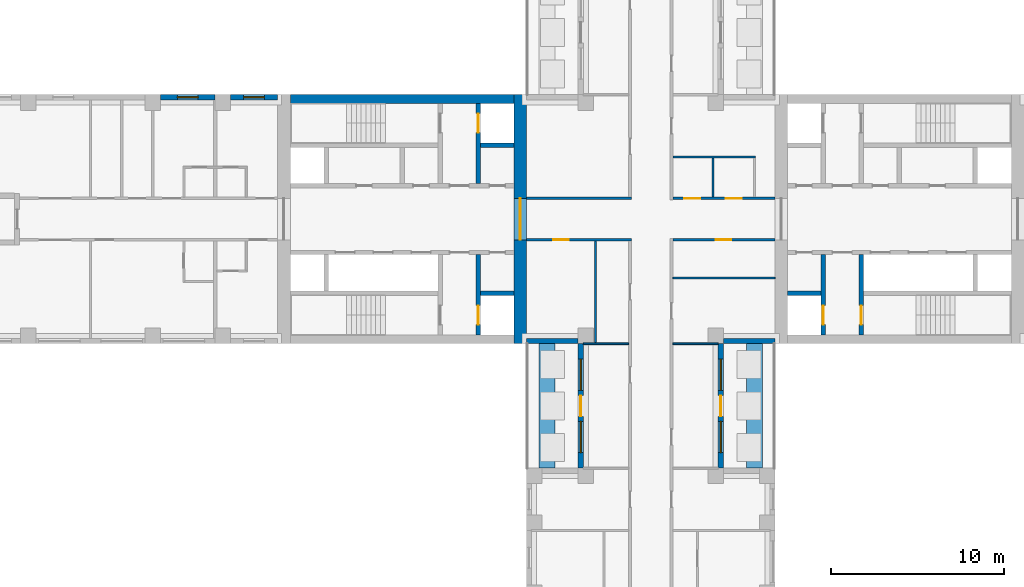
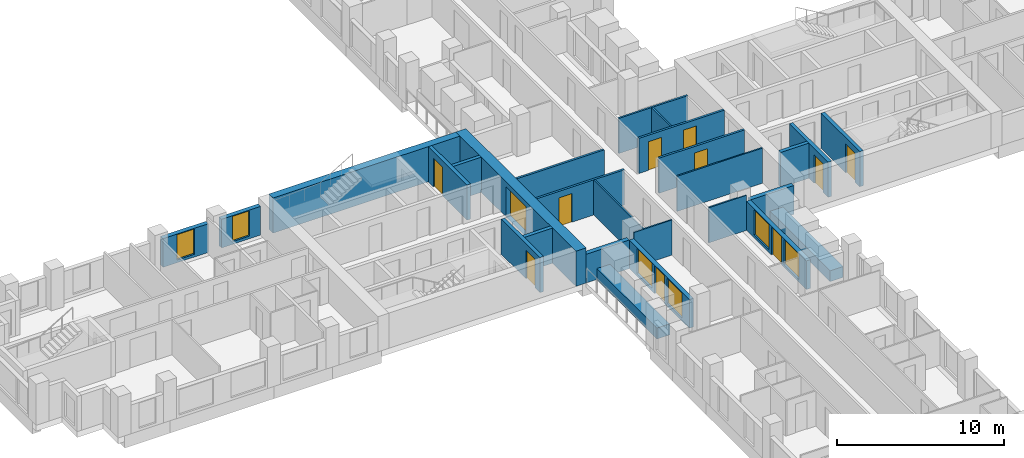
# One storey, part 7 of 15: 27 walls, 11 doors, 6 windows, 17 openings.
"""IFC4 building model written with IfcOpenShell, lengths in metres."""

from ifc_helpers import new_model, si_unit, direction, frame, frame_2d, origin, place, context, subcontext, project, spatial, rectangle, extrude, material, layer, layer_set, type_object, element, fill, save


model = new_model("IFC4")

# Units and contexts
model_context = context("Model", 3, precision=1e-05, world=origin(), true_north=direction((0.0, 1.0)))
body_context = subcontext(model_context, "Body", "Model", "MODEL_VIEW")
ifc_project = project(units=[si_unit("LENGTHUNIT", "METRE"), si_unit("AREAUNIT", "SQUARE_METRE"), si_unit("VOLUMEUNIT", "CUBIC_METRE"), si_unit("PLANEANGLEUNIT", "RADIAN"), si_unit("MASSUNIT", "GRAM", prefix="KILO")], contexts=[model_context])

# Site, building, storey
site_placement = place(None, origin())
site = spatial("IfcSite", under=ifc_project, at=site_placement, CompositionType="ELEMENT")
building_placement = place(site_placement, origin())
building = spatial("IfcBuilding", under=site, at=building_placement, Name="Fustian Cross Tower", CompositionType="ELEMENT")
storey_placement = place(building_placement, frame((0.0, 0.0, 50.699951171875)))
storey = spatial("IfcBuildingStorey", under=building, at=storey_placement, Name="L15", CompositionType="ELEMENT", Elevation=50.699951171875)

# Wall, opening, door
ifc_material_1 = material(Name="Plasterboard on steel stud", Category="steel")
ifc_layer_1 = layer(ifc_material_1, 0.14990234375)
ifc_layer_set_1 = layer_set([ifc_layer_1], Name="Plasterboard on steel stud")
wall_type_1 = type_object("IfcWallType", Name="COMPARTMENT WALL 150 EI 60", PredefinedType="PARTITIONING", material=ifc_layer_set_1)
wall_1_placement = place(storey_placement, frame((-7.199951171875, -1.199951171875, 0.0), z_axis=(0.0, 0.0, 1.0), x_axis=(1.0, 0.0, 0.0)))
wall_1 = element("IfcWall", 1, at=wall_1_placement, inside=storey, type_object=wall_type_1, Name="Partition 16", PredefinedType="PARTITIONING", context=body_context, shape_type="SweptSolid", body=[
    extrude(rectangle(XDim=6.074951171875, YDim=0.14990234375, at=frame_2d((3.03759765625, 0.0))), origin(), (0.0, 0.0, 1.0), 2.574951171875),
])
opening_1_placement = place(wall_1_placement, frame((1.550048828125, 0.0, 0.0)))
opening_1 = element("IfcOpeningElement", 2, at=opening_1_placement, cuts=wall_1, Name="Opening D08008", PredefinedType="OPENING", context=body_context, shape_type="SweptSolid", body=[
    extrude(rectangle(XDim=0.89990234375, YDim=2.10009765625, at=frame_2d((0.449951171875, 1.050048828125))), frame((0.0, 0.0849609375, 0.0), z_axis=(0.0, -1.0, 0.0), x_axis=(1.0, 0.0, 0.0)), (0.0, 0.0, 1.0), 0.169921875),
])
ifc_material_2 = material(Name="Timber fire door set", Category="wood")
door_type_1 = type_object("IfcDoorType", Name="FIRE SWING DOOR 900 FD30S", OperationType="SINGLE_SWING_LEFT", PredefinedType="DOOR", material=ifc_material_2)
door_1_placement = place(opening_1_placement, frame((0.89990234375, 0.0, 0.0), z_axis=(0.0, 0.0, 1.0), x_axis=(-1.0, 0.0, 0.0)))
door_1 = element("IfcDoor", 3, at=door_1_placement, inside=storey, type_object=door_type_1, Name="Door D08008", OperationType="SINGLE_SWING_RIGHT", OverallHeight=2.10009765625, OverallWidth=0.89990234375, PredefinedType="DOOR", context=body_context, shape_type="SweptSolid", body=[
    extrude(rectangle(XDim=0.89990234375, YDim=2.10009765625, at=frame_2d((0.449951171875, 1.050048828125))), frame((0.0, 0.02490234375, 0.0), z_axis=(0.0, -1.0, 0.0), x_axis=(1.0, 0.0, 0.0)), (0.0, 0.0, 1.0), 0.050048828125),
])
fill(opening_1, door_1)

# Wall
wall_2_placement = place(storey_placement, frame((-7.199951171875, 1.199951171875, 0.0), z_axis=(0.0, 0.0, 1.0), x_axis=(1.0, 0.0, 0.0)))
element("IfcWall", 4, at=wall_2_placement, inside=storey, type_object=wall_type_1, Name="Partition 17", PredefinedType="PARTITIONING", context=body_context, shape_type="SweptSolid", body=[
    extrude(rectangle(XDim=6.074951171875, YDim=0.14990234375, at=frame_2d((3.03759765625, 0.0))), origin(), (0.0, 0.0, 1.0), 2.574951171875),
])

# Wall, opening, door
wall_3_placement = place(storey_placement, frame((1.27490234375, -1.199951171875, 0.0), z_axis=(0.0, 0.0, 1.0), x_axis=(1.0, 0.0, 0.0)))
wall_3 = element("IfcWall", 5, at=wall_3_placement, inside=storey, type_object=wall_type_1, Name="Partition 50", PredefinedType="PARTITIONING", context=body_context, shape_type="SweptSolid", body=[
    extrude(rectangle(XDim=5.925048828125, YDim=0.14990234375, at=frame_2d((2.96240234375, 0.0))), origin(), (0.0, 0.0, 1.0), 2.574951171875),
])
opening_2_placement = place(wall_3_placement, frame((2.47509765625, 0.0, 0.0)))
opening_2 = element("IfcOpeningElement", 6, at=opening_2_placement, cuts=wall_3, Name="Opening D08005", PredefinedType="OPENING", context=body_context, shape_type="SweptSolid", body=[
    extrude(rectangle(XDim=0.89990234375, YDim=2.10009765625, at=frame_2d((0.449951171875, 1.050048828125))), frame((0.0, 0.0849609375, 0.0), z_axis=(0.0, -1.0, 0.0), x_axis=(1.0, 0.0, 0.0)), (0.0, 0.0, 1.0), 0.169921875),
])
door_2_placement = place(opening_2_placement, frame((0.89990234375, 0.0, 0.0), z_axis=(0.0, 0.0, 1.0), x_axis=(-1.0, 0.0, 0.0)))
door_2 = element("IfcDoor", 7, at=door_2_placement, inside=storey, type_object=door_type_1, Name="Door D08005", OperationType="SINGLE_SWING_RIGHT", OverallHeight=2.10009765625, OverallWidth=0.89990234375, PredefinedType="DOOR", context=body_context, shape_type="SweptSolid", body=[
    extrude(rectangle(XDim=0.89990234375, YDim=2.10009765625, at=frame_2d((0.449951171875, 1.050048828125))), frame((0.0, 0.02490234375, 0.0), z_axis=(0.0, -1.0, 0.0), x_axis=(1.0, 0.0, 0.0)), (0.0, 0.0, 1.0), 0.050048828125),
])
fill(opening_2, door_2)

# Wall, openings, doors
wall_4_placement = place(storey_placement, frame((1.27490234375, 1.199951171875, 0.0), z_axis=(0.0, 0.0, 1.0), x_axis=(1.0, 0.0, 0.0)))
wall_4 = element("IfcWall", 8, at=wall_4_placement, inside=storey, type_object=wall_type_1, Name="Partition 52", PredefinedType="PARTITIONING", context=body_context, shape_type="SweptSolid", body=[
    extrude(rectangle(XDim=5.925048828125, YDim=0.14990234375, at=frame_2d((2.96240234375, 0.0))), origin(), (0.0, 0.0, 1.0), 2.574951171875),
])
opening_3_placement = place(wall_4_placement, frame((0.675048828125, 0.0, 0.0)))
opening_3 = element("IfcOpeningElement", 9, at=opening_3_placement, cuts=wall_4, Name="Opening D08001", PredefinedType="OPENING", context=body_context, shape_type="SweptSolid", body=[
    extrude(rectangle(XDim=0.89990234375, YDim=2.10009765625, at=frame_2d((0.449951171875, 1.050048828125))), frame((0.0, 0.0849609375, 0.0), z_axis=(0.0, -1.0, 0.0), x_axis=(1.0, 0.0, 0.0)), (0.0, 0.0, 1.0), 0.169921875),
])
opening_4_placement = place(wall_4_placement, frame((3.074951171875, 0.0, 0.0)))
opening_4 = element("IfcOpeningElement", 10, at=opening_4_placement, cuts=wall_4, Name="Opening D08002", PredefinedType="OPENING", context=body_context, shape_type="SweptSolid", body=[
    extrude(rectangle(XDim=0.89990234375, YDim=2.10009765625, at=frame_2d((0.449951171875, 1.050048828125))), frame((0.0, 0.0849609375, 0.0), z_axis=(0.0, -1.0, 0.0), x_axis=(1.0, 0.0, 0.0)), (0.0, 0.0, 1.0), 0.169921875),
])
door_3_placement = place(opening_3_placement, origin())
door_3 = element("IfcDoor", 11, at=door_3_placement, inside=storey, type_object=door_type_1, Name="Door D08001", OperationType="SINGLE_SWING_LEFT", OverallHeight=2.10009765625, OverallWidth=0.89990234375, PredefinedType="DOOR", context=body_context, shape_type="SweptSolid", body=[
    extrude(rectangle(XDim=0.89990234375, YDim=2.10009765625, at=frame_2d((0.449951171875, 1.050048828125))), frame((0.0, 0.02490234375, 0.0), z_axis=(0.0, -1.0, 0.0), x_axis=(1.0, 0.0, 0.0)), (0.0, 0.0, 1.0), 0.050048828125),
])
fill(opening_3, door_3)
door_4_placement = place(opening_4_placement, origin())
door_4 = element("IfcDoor", 12, at=door_4_placement, inside=storey, type_object=door_type_1, Name="Door D08002", OperationType="SINGLE_SWING_LEFT", OverallHeight=2.10009765625, OverallWidth=0.89990234375, PredefinedType="DOOR", context=body_context, shape_type="SweptSolid", body=[
    extrude(rectangle(XDim=0.89990234375, YDim=2.10009765625, at=frame_2d((0.449951171875, 1.050048828125))), frame((0.0, 0.02490234375, 0.0), z_axis=(0.0, -1.0, 0.0), x_axis=(1.0, 0.0, 0.0)), (0.0, 0.0, 1.0), 0.050048828125),
])
fill(opening_4, door_4)

# Wall, opening, door
ifc_material_3 = material(Name="Concrete C80/95", Category="concrete")
ifc_layer_2 = layer(ifc_material_3, 0.699951171875)
ifc_layer_set_2 = layer_set([ifc_layer_2], Name="Concrete C80/95")
wall_type_2 = type_object("IfcWallType", Name="CORE END WALL 700 C80/95", PredefinedType="SHEAR", material=ifc_layer_set_2)
wall_5_placement = place(storey_placement, frame((-7.550048828125, -7.199951171875, 0.0), z_axis=(0.0, 0.0, 1.0), x_axis=(0.0, 1.0, 0.0)))
wall_5 = element("IfcWall", 13, at=wall_5_placement, inside=storey, type_object=wall_type_2, Name="Core end wall", PredefinedType="SHEAR", context=body_context, shape_type="SweptSolid", body=[
    extrude(rectangle(XDim=14.39990234375, YDim=0.699951171875, at=frame_2d((7.199951171875, 0.0))), origin(), (0.0, 0.0, 1.0), 2.574951171875),
])
opening_5_placement = place(wall_5_placement, frame((6.0, 0.0, 0.0)))
opening_5 = element("IfcOpeningElement", 14, at=opening_5_placement, cuts=wall_5, Name="Opening CD-05-27", PredefinedType="OPENING", context=body_context, shape_type="SweptSolid", body=[
    extrude(rectangle(XDim=2.39990234375, YDim=2.199951171875, at=frame_2d((1.199951171875, 1.10009765625))), frame((0.0, 0.35986328125, 0.0), z_axis=(0.0, -1.0, 0.0), x_axis=(1.0, 0.0, 0.0)), (0.0, 0.0, 1.0), 0.719970703125),
])
ifc_material_4 = material(Name="Steel", Category="steel")
door_type_2 = type_object("IfcDoorType", Name="FIRE DOOR FD30S DOUBLE 2400X2200", OperationType="DOUBLE_DOOR_DOUBLE_SWING", PredefinedType="DOOR", material=ifc_material_4)
door_5_placement = place(opening_5_placement, origin())
door_5 = element("IfcDoor", 15, at=door_5_placement, inside=storey, type_object=door_type_2, Name="Core door CD-05-27", OperationType="DOUBLE_DOOR_DOUBLE_SWING", OverallHeight=2.199951171875, OverallWidth=2.39990234375, PredefinedType="DOOR", context=body_context, shape_type="SweptSolid", body=[
    extrude(rectangle(XDim=2.39990234375, YDim=2.199951171875, at=frame_2d((1.199951171875, 1.10009765625))), frame((0.0, 0.02490234375, 0.0), z_axis=(0.0, -1.0, 0.0), x_axis=(1.0, 0.0, 0.0)), (0.0, 0.0, 1.0), 0.050048828125),
])
fill(opening_5, door_5)

# Walls
ifc_material_5 = material(Name="Concrete C80/95", Category="concrete")
ifc_layer_3 = layer(ifc_material_5, 0.5)
ifc_layer_set_3 = layer_set([ifc_layer_3], Name="Concrete C80/95")
wall_type_3 = type_object("IfcWallType", Name="CORE FACADE WALL 500 C80/95", PredefinedType="SHEAR", material=ifc_layer_set_3)
wall_6_placement = place(storey_placement, frame((-7.89990234375, 6.949951171875, 0.0), z_axis=(0.0, 0.0, 1.0), x_axis=(-1.0, 0.0, 0.0)))
element("IfcWall", 16, at=wall_6_placement, inside=storey, type_object=wall_type_3, Name="Core facade wall", PredefinedType="SHEAR", context=body_context, shape_type="SweptSolid", body=[
    extrude(rectangle(XDim=12.9501953125, YDim=0.5, at=frame_2d((6.47509765625, 0.0))), origin(), (0.0, 0.0, 1.0), 2.574951171875),
])
ifc_material_6 = material(Name="Concrete C50/60", Category="concrete")
ifc_layer_4 = layer(ifc_material_6, 0.25)
ifc_layer_set_4 = layer_set([ifc_layer_4], Name="Concrete C50/60")
wall_type_4 = type_object("IfcWallType", Name="CORE SHAFT WALL 250 C50/60", PredefinedType="SHEAR", material=ifc_layer_set_4)
wall_7_placement = place(storey_placement, frame((7.89990234375, -4.27490234375, 0.0), z_axis=(0.0, 0.0, 1.0), x_axis=(1.0, 0.0, 0.0)))
element("IfcWall", 17, at=wall_7_placement, inside=storey, type_object=wall_type_4, Name="Core shaft wall", PredefinedType="SHEAR", context=body_context, shape_type="SweptSolid", body=[
    extrude(rectangle(XDim=1.9501953125, YDim=0.25, at=frame_2d((0.97509765625, 0.0))), origin(), (0.0, 0.0, 1.0), 2.574951171875),
])

# Wall, opening, door
wall_8_placement = place(storey_placement, frame((9.97509765625, -2.050048828125, 0.0), z_axis=(0.0, 0.0, 1.0), x_axis=(0.0, -1.0, 0.0)))
wall_8 = element("IfcWall", 18, at=wall_8_placement, inside=storey, type_object=wall_type_4, Name="Core shaft wall", PredefinedType="SHEAR", context=body_context, shape_type="SweptSolid", body=[
    extrude(rectangle(XDim=4.64990234375, YDim=0.25, at=frame_2d((2.324951171875, 0.0))), origin(), (0.0, 0.0, 1.0), 2.574951171875),
])
opening_6_placement = place(wall_8_placement, frame((2.949951171875, 0.0, 0.0)))
opening_6 = element("IfcOpeningElement", 19, at=opening_6_placement, cuts=wall_8, Name="Opening LD", PredefinedType="OPENING", context=body_context, shape_type="SweptSolid", body=[
    extrude(rectangle(XDim=1.10009765625, YDim=2.10009765625, at=frame_2d((0.550048828125, 1.050048828125))), frame((0.0, 0.135009765625, 0.0), z_axis=(0.0, -1.0, 0.0), x_axis=(1.0, 0.0, 0.0)), (0.0, 0.0, 1.0), 0.27001953125),
])
ifc_material_7 = material(Name="Stainless steel", Category="steel")
door_type_3 = type_object("IfcDoorType", Name="LIFT LANDING DOOR 1100X2100", OperationType="SLIDING_TO_LEFT", PredefinedType="DOOR", material=ifc_material_7)
door_6_placement = place(opening_6_placement, origin())
door_6 = element("IfcDoor", 20, at=door_6_placement, inside=storey, type_object=door_type_3, Name="Landing door SV1", OperationType="SLIDING_TO_LEFT", OverallHeight=2.10009765625, OverallWidth=1.10009765625, PredefinedType="DOOR", context=body_context, shape_type="SweptSolid", body=[
    extrude(rectangle(XDim=1.10009765625, YDim=2.10009765625, at=frame_2d((0.550048828125, 1.050048828125))), frame((0.0, 0.02490234375, 0.0), z_axis=(0.0, -1.0, 0.0), x_axis=(1.0, 0.0, 0.0)), (0.0, 0.0, 1.0), 0.050048828125),
])
fill(opening_6, door_6)

wall_9_placement = place(storey_placement, frame((12.175048828125, -2.050048828125, 0.0), z_axis=(0.0, 0.0, 1.0), x_axis=(0.0, -1.0, 0.0)))
wall_9 = element("IfcWall", 21, at=wall_9_placement, inside=storey, type_object=wall_type_4, Name="Core shaft wall", PredefinedType="SHEAR", context=body_context, shape_type="SweptSolid", body=[
    extrude(rectangle(XDim=4.64990234375, YDim=0.25, at=frame_2d((2.324951171875, 0.0))), origin(), (0.0, 0.0, 1.0), 2.574951171875),
])
opening_7_placement = place(wall_9_placement, frame((2.949951171875, 0.0, 0.0)))
opening_7 = element("IfcOpeningElement", 22, at=opening_7_placement, cuts=wall_9, Name="Opening CD-05-07", PredefinedType="OPENING", context=body_context, shape_type="SweptSolid", body=[
    extrude(rectangle(XDim=1.10009765625, YDim=2.10009765625, at=frame_2d((0.550048828125, 1.050048828125))), frame((0.0, 0.135009765625, 0.0), z_axis=(0.0, -1.0, 0.0), x_axis=(1.0, 0.0, 0.0)), (0.0, 0.0, 1.0), 0.27001953125),
])
ifc_material_8 = material(Name="Steel", Category="steel")
door_type_4 = type_object("IfcDoorType", Name="FIRE DOOR FD60S 1100X2100", OperationType="SINGLE_SWING_LEFT", PredefinedType="DOOR", material=ifc_material_8)
door_7_placement = place(opening_7_placement, origin())
door_7 = element("IfcDoor", 23, at=door_7_placement, inside=storey, type_object=door_type_4, Name="Core door CD-05-07", OperationType="SINGLE_SWING_LEFT", OverallHeight=2.10009765625, OverallWidth=1.10009765625, PredefinedType="DOOR", context=body_context, shape_type="SweptSolid", body=[
    extrude(rectangle(XDim=1.10009765625, YDim=2.10009765625, at=frame_2d((0.550048828125, 1.050048828125))), frame((0.0, 0.02490234375, 0.0), z_axis=(0.0, -1.0, 0.0), x_axis=(1.0, 0.0, 0.0)), (0.0, 0.0, 1.0), 0.050048828125),
])
fill(opening_7, door_7)

# Wall
wall_10_placement = place(storey_placement, frame((-7.89990234375, 4.27490234375, 0.0), z_axis=(0.0, 0.0, 1.0), x_axis=(-1.0, 0.0, 0.0)))
element("IfcWall", 24, at=wall_10_placement, inside=storey, type_object=wall_type_4, Name="Core shaft wall", PredefinedType="SHEAR", context=body_context, shape_type="SweptSolid", body=[
    extrude(rectangle(XDim=1.9501953125, YDim=0.25, at=frame_2d((0.97509765625, 0.0))), origin(), (0.0, 0.0, 1.0), 2.574951171875),
])

# Wall, opening, door
wall_11_placement = place(storey_placement, frame((-9.97509765625, 2.050048828125, 0.0), z_axis=(0.0, 0.0, 1.0), x_axis=(0.0, 1.0, 0.0)))
wall_11 = element("IfcWall", 25, at=wall_11_placement, inside=storey, type_object=wall_type_4, Name="Core shaft wall", PredefinedType="SHEAR", context=body_context, shape_type="SweptSolid", body=[
    extrude(rectangle(XDim=4.64990234375, YDim=0.25, at=frame_2d((2.324951171875, 0.0))), origin(), (0.0, 0.0, 1.0), 2.574951171875),
])
opening_8_placement = place(wall_11_placement, frame((2.949951171875, 0.0, 0.0)))
opening_8 = element("IfcOpeningElement", 26, at=opening_8_placement, cuts=wall_11, Name="Opening LD", PredefinedType="OPENING", context=body_context, shape_type="SweptSolid", body=[
    extrude(rectangle(XDim=1.10009765625, YDim=2.10009765625, at=frame_2d((0.550048828125, 1.050048828125))), frame((0.0, 0.135009765625, 0.0), z_axis=(0.0, -1.0, 0.0), x_axis=(1.0, 0.0, 0.0)), (0.0, 0.0, 1.0), 0.27001953125),
])
door_8_placement = place(opening_8_placement, origin())
door_8 = element("IfcDoor", 27, at=door_8_placement, inside=storey, type_object=door_type_3, Name="Landing door FL1W", OperationType="SLIDING_TO_LEFT", OverallHeight=2.10009765625, OverallWidth=1.10009765625, PredefinedType="DOOR", context=body_context, shape_type="SweptSolid", body=[
    extrude(rectangle(XDim=1.10009765625, YDim=2.10009765625, at=frame_2d((0.550048828125, 1.050048828125))), frame((0.0, 0.02490234375, 0.0), z_axis=(0.0, -1.0, 0.0), x_axis=(1.0, 0.0, 0.0)), (0.0, 0.0, 1.0), 0.050048828125),
])
fill(opening_8, door_8)

# Wall
wall_12_placement = place(storey_placement, frame((-7.89990234375, -4.27490234375, 0.0), z_axis=(0.0, 0.0, 1.0), x_axis=(-1.0, 0.0, 0.0)))
element("IfcWall", 28, at=wall_12_placement, inside=storey, type_object=wall_type_4, Name="Core shaft wall", PredefinedType="SHEAR", context=body_context, shape_type="SweptSolid", body=[
    extrude(rectangle(XDim=1.9501953125, YDim=0.25, at=frame_2d((0.97509765625, 0.0))), origin(), (0.0, 0.0, 1.0), 2.574951171875),
])

# Wall, opening, door
wall_13_placement = place(storey_placement, frame((-9.97509765625, -2.050048828125, 0.0), z_axis=(0.0, 0.0, 1.0), x_axis=(0.0, -1.0, 0.0)))
wall_13 = element("IfcWall", 29, at=wall_13_placement, inside=storey, type_object=wall_type_4, Name="Core shaft wall", PredefinedType="SHEAR", context=body_context, shape_type="SweptSolid", body=[
    extrude(rectangle(XDim=4.64990234375, YDim=0.25, at=frame_2d((2.324951171875, 0.0))), origin(), (0.0, 0.0, 1.0), 2.574951171875),
])
opening_9_placement = place(wall_13_placement, frame((2.949951171875, 0.0, 0.0)))
opening_9 = element("IfcOpeningElement", 30, at=opening_9_placement, cuts=wall_13, Name="Opening LD", PredefinedType="OPENING", context=body_context, shape_type="SweptSolid", body=[
    extrude(rectangle(XDim=1.10009765625, YDim=2.10009765625, at=frame_2d((0.550048828125, 1.050048828125))), frame((0.0, 0.135009765625, 0.0), z_axis=(0.0, -1.0, 0.0), x_axis=(1.0, 0.0, 0.0)), (0.0, 0.0, 1.0), 0.27001953125),
])
door_9_placement = place(opening_9_placement, origin())
door_9 = element("IfcDoor", 31, at=door_9_placement, inside=storey, type_object=door_type_3, Name="Landing door SV1W", OperationType="SLIDING_TO_LEFT", OverallHeight=2.10009765625, OverallWidth=1.10009765625, PredefinedType="DOOR", context=body_context, shape_type="SweptSolid", body=[
    extrude(rectangle(XDim=1.10009765625, YDim=2.10009765625, at=frame_2d((0.550048828125, 1.050048828125))), frame((0.0, 0.02490234375, 0.0), z_axis=(0.0, -1.0, 0.0), x_axis=(1.0, 0.0, 0.0)), (0.0, 0.0, 1.0), 0.050048828125),
])
fill(opening_9, door_9)

# Walls
ifc_material_9 = material(Name="Plasterboard on steel stud", Category="steel")
ifc_layer_5 = layer(ifc_material_9, 0.10009765625)
ifc_layer_set_5 = layer_set([ifc_layer_5], Name="Plasterboard on steel stud")
wall_type_5 = type_object("IfcWallType", Name="PARTITION 100 STUD", PredefinedType="PARTITIONING", material=ifc_layer_set_5)
wall_14_placement = place(storey_placement, frame((-3.89990234375, -7.199951171875, 0.0), z_axis=(0.0, 0.0, 1.0), x_axis=(1.0, 0.0, 0.0)))
element("IfcWall", 32, at=wall_14_placement, inside=storey, type_object=wall_type_5, Name="Partition 31", PredefinedType="PARTITIONING", context=body_context, shape_type="SweptSolid", body=[
    extrude(rectangle(XDim=2.625, YDim=0.10009765625, at=frame_2d((1.3125, 0.0))), origin(), (0.0, 0.0, 1.0), 2.574951171875),
])
wall_15_placement = place(storey_placement, frame((-3.199951171875, -7.14990234375, 0.0), z_axis=(0.0, 0.0, 1.0), x_axis=(0.0, 1.0, 0.0)))
element("IfcWall", 33, at=wall_15_placement, inside=storey, type_object=wall_type_5, Name="Partition 37", PredefinedType="PARTITIONING", context=body_context, shape_type="SweptSolid", body=[
    extrude(rectangle(XDim=5.875, YDim=0.10009765625, at=frame_2d((2.9375, 0.0))), origin(), (0.0, 0.0, 1.0), 2.574951171875),
])
wall_16_placement = place(storey_placement, frame((1.27490234375, -7.199951171875, 0.0), z_axis=(0.0, 0.0, 1.0), x_axis=(1.0, 0.0, 0.0)))
element("IfcWall", 34, at=wall_16_placement, inside=storey, type_object=wall_type_5, Name="Partition 48", PredefinedType="PARTITIONING", context=body_context, shape_type="SweptSolid", body=[
    extrude(rectangle(XDim=2.625, YDim=0.10009765625, at=frame_2d((1.3125, 0.0))), origin(), (0.0, 0.0, 1.0), 2.574951171875),
])
wall_17_placement = place(storey_placement, frame((1.27490234375, -3.39990234375, 0.0), z_axis=(0.0, 0.0, 1.0), x_axis=(1.0, 0.0, 0.0)))
element("IfcWall", 35, at=wall_17_placement, inside=storey, type_object=wall_type_5, Name="Partition 49", PredefinedType="PARTITIONING", context=body_context, shape_type="SweptSolid", body=[
    extrude(rectangle(XDim=5.925048828125, YDim=0.10009765625, at=frame_2d((2.96240234375, 0.0))), origin(), (0.0, 0.0, 1.0), 2.574951171875),
])
ifc_material_10 = material(Name="Concrete C40/50", Category="concrete")
ifc_layer_6 = layer(ifc_material_10, 0.89990234375)
ifc_layer_set_6 = layer_set([ifc_layer_6], Name="Concrete C40/50")
wall_type_6 = type_object("IfcWallType", Name="PK1 PLANTER 900", PredefinedType="PARAPET", material=ifc_layer_set_6)
for number, where, z_axis, x_axis, name in (
    (36, (6.0, -14.39990234375, 0.0), (0.0, 0.0, 1.0), (0.0, 1.0, 0.0), "PLANTER"),
    (37, (-6.0, -14.39990234375, 0.0), (0.0, 0.0, 1.0), (0.0, 1.0, 0.0), "PLANTER"),
):
    element("IfcWall", number, at=place(storey_placement, frame(where, z_axis=z_axis, x_axis=x_axis)), inside=storey, type_object=wall_type_6, Name=name, PredefinedType="PARAPET", context=body_context, shape_type="SweptSolid", body=[
        extrude(rectangle(XDim=7.199951171875, YDim=0.89990234375, at=frame_2d((3.60009765625, 0.0))), origin(), (0.0, 0.0, 1.0), 0.800048828125),
    ])
ifc_material_11 = material(Name="Plasterboard on steel stud", Category="steel")
ifc_layer_7 = layer(ifc_material_11, 0.125)
ifc_layer_set_7 = layer_set([ifc_layer_7], Name="Plasterboard on steel stud")
wall_type_7 = type_object("IfcWallType", Name="WET WALL 125 STUD", PredefinedType="PARTITIONING", material=ifc_layer_set_7)
wall_18_placement = place(storey_placement, frame((1.27490234375, 3.60009765625, 0.0), z_axis=(0.0, 0.0, 1.0), x_axis=(1.0, 0.0, 0.0)))
element("IfcWall", 38, at=wall_18_placement, inside=storey, type_object=wall_type_7, Name="Partition 53", PredefinedType="PARTITIONING", context=body_context, shape_type="SweptSolid", body=[
    extrude(rectangle(XDim=4.78759765625, YDim=0.125, at=frame_2d((2.393798828125, 0.0))), origin(), (0.0, 0.0, 1.0), 2.574951171875),
])
wall_19_placement = place(storey_placement, frame((3.60009765625, 1.27490234375, 0.0), z_axis=(0.0, 0.0, 1.0), x_axis=(0.0, 1.0, 0.0)))
element("IfcWall", 39, at=wall_19_placement, inside=storey, type_object=wall_type_7, Name="Partition 67", PredefinedType="PARTITIONING", context=body_context, shape_type="SweptSolid", body=[
    extrude(rectangle(XDim=2.2626953125, YDim=0.125, at=frame_2d((1.13134765625, 0.0))), origin(), (0.0, 0.0, 1.0), 2.574951171875),
])

# Wall, opening, window
ifc_material_12 = material(Name="Dark aluminium cladding on insulated backing wall", Category="aluminium")
ifc_layer_8 = layer(ifc_material_12, 0.300048828125)
ifc_layer_set_8 = layer_set([ifc_layer_8], Name="Dark aluminium cladding on insulated backing wall")
wall_type_8 = type_object("IfcWallType", Name="XW1 EXTERNAL WALL 300", PredefinedType="SOLIDWALL", material=ifc_layer_set_8)
wall_20_placement = place(storey_placement, frame((-21.60009765625, 7.050048828125, 0.0), z_axis=(0.0, 0.0, 1.0), x_axis=(-1.0, 0.0, 0.0)))
wall_20 = element("IfcWall", 40, at=wall_20_placement, inside=storey, type_object=wall_type_8, Name="External wall", PredefinedType="SOLIDWALL", context=body_context, shape_type="SweptSolid", body=[
    extrude(rectangle(XDim=2.699951171875, YDim=0.300048828125, at=frame_2d((1.35009765625, 0.0))), origin(), (0.0, 0.0, 1.0), 2.10009765625),
])
opening_10_placement = place(wall_20_placement, frame((0.75, 0.0, 0.199951171875)))
opening_10 = element("IfcOpeningElement", 41, at=opening_10_placement, cuts=wall_20, Name="Opening WN3", PredefinedType="OPENING", context=body_context, shape_type="SweptSolid", body=[
    extrude(rectangle(XDim=1.199951171875, YDim=1.85009765625, at=frame_2d((0.60009765625, 0.925048828125))), frame((0.0, 0.159912109375, 0.0), z_axis=(0.0, -1.0, 0.0), x_axis=(1.0, 0.0, 0.0)), (0.0, 0.0, 1.0), 0.320068359375),
])
ifc_material_13 = material(Name="Dark anodised aluminium and double glazing", Category="aluminium")
window_type_1 = type_object("IfcWindowType", Name="WN3 WINDOW 1200X1850", PartitioningType="SINGLE_PANEL", PredefinedType="WINDOW", material=ifc_material_13)
window_1_placement = place(opening_10_placement, origin())
window_1 = element("IfcWindow", 42, at=window_1_placement, inside=storey, type_object=window_type_1, Name="Window", OverallHeight=1.85009765625, OverallWidth=1.199951171875, PartitioningType="SINGLE_PANEL", PredefinedType="WINDOW", context=body_context, shape_type="SweptSolid", body=[
    extrude(rectangle(XDim=1.199951171875, YDim=1.85009765625, at=frame_2d((0.60009765625, 0.925048828125))), frame((0.0, 0.030029296875, 0.0), z_axis=(0.0, -1.0, 0.0), x_axis=(1.0, 0.0, 0.0)), (0.0, 0.0, 1.0), 0.06005859375),
])
fill(opening_10, window_1)

wall_21_placement = place(storey_placement, frame((-25.199951171875, 7.050048828125, 0.0), z_axis=(0.0, 0.0, 1.0), x_axis=(-1.0, 0.0, 0.0)))
wall_21 = element("IfcWall", 43, at=wall_21_placement, inside=storey, type_object=wall_type_8, Name="External wall", PredefinedType="SOLIDWALL", context=body_context, shape_type="SweptSolid", body=[
    extrude(rectangle(XDim=3.150146484375, YDim=0.300048828125, at=frame_2d((1.5751953125, 0.0))), origin(), (0.0, 0.0, 1.0), 2.10009765625),
])
opening_11_placement = place(wall_21_placement, frame((0.97509765625, 0.0, 0.199951171875)))
opening_11 = element("IfcOpeningElement", 44, at=opening_11_placement, cuts=wall_21, Name="Opening WN3", PredefinedType="OPENING", context=body_context, shape_type="SweptSolid", body=[
    extrude(rectangle(XDim=1.199951171875, YDim=1.85009765625, at=frame_2d((0.60009765625, 0.925048828125))), frame((0.0, 0.159912109375, 0.0), z_axis=(0.0, -1.0, 0.0), x_axis=(1.0, 0.0, 0.0)), (0.0, 0.0, 1.0), 0.320068359375),
])
window_2_placement = place(opening_11_placement, origin())
window_2 = element("IfcWindow", 45, at=window_2_placement, inside=storey, type_object=window_type_1, Name="Window", OverallHeight=1.85009765625, OverallWidth=1.199951171875, PartitioningType="SINGLE_PANEL", PredefinedType="WINDOW", context=body_context, shape_type="SweptSolid", body=[
    extrude(rectangle(XDim=1.199951171875, YDim=1.85009765625, at=frame_2d((0.60009765625, 0.925048828125))), frame((0.0, 0.030029296875, 0.0), z_axis=(0.0, -1.0, 0.0), x_axis=(1.0, 0.0, 0.0)), (0.0, 0.0, 1.0), 0.06005859375),
])
fill(opening_11, window_2)

# Wall
wall_22_placement = place(storey_placement, frame((-7.199951171875, -7.050048828125, 0.0), z_axis=(0.0, 0.0, 1.0), x_axis=(1.0, 0.0, 0.0)))
element("IfcWall", 46, at=wall_22_placement, inside=storey, type_object=wall_type_8, Name="External wall", PredefinedType="SOLIDWALL", context=body_context, shape_type="SweptSolid", body=[
    extrude(rectangle(XDim=3.0, YDim=0.300048828125, at=frame_2d((1.5, 0.0))), origin(), (0.0, 0.0, 1.0), 2.10009765625),
])

# Wall, openings, door, windows
wall_23_placement = place(storey_placement, frame((-4.050048828125, -7.199951171875, 0.0), z_axis=(0.0, 0.0, 1.0), x_axis=(0.0, -1.0, 0.0)))
wall_23 = element("IfcWall", 47, at=wall_23_placement, inside=storey, type_object=wall_type_8, Name="External wall", PredefinedType="SOLIDWALL", context=body_context, shape_type="SweptSolid", body=[
    extrude(rectangle(XDim=7.199951171875, YDim=0.300048828125, at=frame_2d((3.60009765625, 0.0))), origin(), (0.0, 0.0, 1.0), 2.10009765625),
])
opening_12_placement = place(wall_23_placement, frame((3.0, 0.0, 0.0)))
opening_12 = element("IfcOpeningElement", 48, at=opening_12_placement, cuts=wall_23, Name="Opening XD4", PredefinedType="OPENING", context=body_context, shape_type="SweptSolid", body=[
    extrude(rectangle(XDim=1.199951171875, YDim=2.050048828125, at=frame_2d((0.60009765625, 1.02490234375))), frame((0.0, 0.159912109375, 0.0), z_axis=(0.0, -1.0, 0.0), x_axis=(1.0, 0.0, 0.0)), (0.0, 0.0, 1.0), 0.320068359375),
])
opening_13_placement = place(wall_23_placement, frame((0.89990234375, 0.0, 0.199951171875)))
opening_13 = element("IfcOpeningElement", 49, at=opening_13_placement, cuts=wall_23, Name="Opening WN2", PredefinedType="OPENING", context=body_context, shape_type="SweptSolid", body=[
    extrude(rectangle(XDim=1.800048828125, YDim=1.85009765625, at=frame_2d((0.89990234375, 0.925048828125))), frame((0.0, 0.159912109375, 0.0), z_axis=(0.0, -1.0, 0.0), x_axis=(1.0, 0.0, 0.0)), (0.0, 0.0, 1.0), 0.320068359375),
])
opening_14_placement = place(wall_23_placement, frame((4.5, 0.0, 0.199951171875)))
opening_14 = element("IfcOpeningElement", 50, at=opening_14_placement, cuts=wall_23, Name="Opening WN2", PredefinedType="OPENING", context=body_context, shape_type="SweptSolid", body=[
    extrude(rectangle(XDim=1.800048828125, YDim=1.85009765625, at=frame_2d((0.89990234375, 0.925048828125))), frame((0.0, 0.159912109375, 0.0), z_axis=(0.0, -1.0, 0.0), x_axis=(1.0, 0.0, 0.0)), (0.0, 0.0, 1.0), 0.320068359375),
])
ifc_material_14 = material(Name="Dark anodised aluminium and double glazing", Category="aluminium")
door_type_5 = type_object("IfcDoorType", Name="ED1 BALCONY DOOR 1200X2050", OperationType="SINGLE_SWING_LEFT", PredefinedType="DOOR", material=ifc_material_14)
door_10_placement = place(opening_12_placement, origin())
door_10 = element("IfcDoor", 51, at=door_10_placement, inside=storey, type_object=door_type_5, Name="Balcony door", OperationType="SINGLE_SWING_LEFT", OverallHeight=2.050048828125, OverallWidth=1.199951171875, PredefinedType="DOOR", context=body_context, shape_type="SweptSolid", body=[
    extrude(rectangle(XDim=1.199951171875, YDim=2.050048828125, at=frame_2d((0.60009765625, 1.02490234375))), frame((0.0, 0.02490234375, 0.0), z_axis=(0.0, -1.0, 0.0), x_axis=(1.0, 0.0, 0.0)), (0.0, 0.0, 1.0), 0.050048828125),
])
fill(opening_12, door_10)
ifc_material_15 = material(Name="Dark anodised aluminium and double glazing", Category="aluminium")
window_type_2 = type_object("IfcWindowType", Name="WN2 WINDOW 1800X1850", PartitioningType="SINGLE_PANEL", PredefinedType="WINDOW", material=ifc_material_15)
window_3_placement = place(opening_13_placement, origin())
window_3 = element("IfcWindow", 52, at=window_3_placement, inside=storey, type_object=window_type_2, Name="Window", OverallHeight=1.85009765625, OverallWidth=1.800048828125, PartitioningType="SINGLE_PANEL", PredefinedType="WINDOW", context=body_context, shape_type="SweptSolid", body=[
    extrude(rectangle(XDim=1.800048828125, YDim=1.85009765625, at=frame_2d((0.89990234375, 0.925048828125))), frame((0.0, 0.030029296875, 0.0), z_axis=(0.0, -1.0, 0.0), x_axis=(1.0, 0.0, 0.0)), (0.0, 0.0, 1.0), 0.06005859375),
])
fill(opening_13, window_3)
window_4_placement = place(opening_14_placement, origin())
window_4 = element("IfcWindow", 53, at=window_4_placement, inside=storey, type_object=window_type_2, Name="Window", OverallHeight=1.85009765625, OverallWidth=1.800048828125, PartitioningType="SINGLE_PANEL", PredefinedType="WINDOW", context=body_context, shape_type="SweptSolid", body=[
    extrude(rectangle(XDim=1.800048828125, YDim=1.85009765625, at=frame_2d((0.89990234375, 0.925048828125))), frame((0.0, 0.030029296875, 0.0), z_axis=(0.0, -1.0, 0.0), x_axis=(1.0, 0.0, 0.0)), (0.0, 0.0, 1.0), 0.06005859375),
])
fill(opening_14, window_4)

wall_24_placement = place(storey_placement, frame((4.050048828125, -14.39990234375, 0.0), z_axis=(0.0, 0.0, 1.0), x_axis=(0.0, 1.0, 0.0)))
wall_24 = element("IfcWall", 54, at=wall_24_placement, inside=storey, type_object=wall_type_8, Name="External wall", PredefinedType="SOLIDWALL", context=body_context, shape_type="SweptSolid", body=[
    extrude(rectangle(XDim=7.199951171875, YDim=0.300048828125, at=frame_2d((3.60009765625, 0.0))), origin(), (0.0, 0.0, 1.0), 2.10009765625),
])
opening_15_placement = place(wall_24_placement, frame((3.0, 0.0, 0.0)))
opening_15 = element("IfcOpeningElement", 55, at=opening_15_placement, cuts=wall_24, Name="Opening XD3", PredefinedType="OPENING", context=body_context, shape_type="SweptSolid", body=[
    extrude(rectangle(XDim=1.199951171875, YDim=2.050048828125, at=frame_2d((0.60009765625, 1.02490234375))), frame((0.0, 0.159912109375, 0.0), z_axis=(0.0, -1.0, 0.0), x_axis=(1.0, 0.0, 0.0)), (0.0, 0.0, 1.0), 0.320068359375),
])
opening_16_placement = place(wall_24_placement, frame((0.89990234375, 0.0, 0.199951171875)))
opening_16 = element("IfcOpeningElement", 56, at=opening_16_placement, cuts=wall_24, Name="Opening WN2", PredefinedType="OPENING", context=body_context, shape_type="SweptSolid", body=[
    extrude(rectangle(XDim=1.800048828125, YDim=1.85009765625, at=frame_2d((0.89990234375, 0.925048828125))), frame((0.0, 0.159912109375, 0.0), z_axis=(0.0, -1.0, 0.0), x_axis=(1.0, 0.0, 0.0)), (0.0, 0.0, 1.0), 0.320068359375),
])
opening_17_placement = place(wall_24_placement, frame((4.5, 0.0, 0.199951171875)))
opening_17 = element("IfcOpeningElement", 57, at=opening_17_placement, cuts=wall_24, Name="Opening WN2", PredefinedType="OPENING", context=body_context, shape_type="SweptSolid", body=[
    extrude(rectangle(XDim=1.800048828125, YDim=1.85009765625, at=frame_2d((0.89990234375, 0.925048828125))), frame((0.0, 0.159912109375, 0.0), z_axis=(0.0, -1.0, 0.0), x_axis=(1.0, 0.0, 0.0)), (0.0, 0.0, 1.0), 0.320068359375),
])
door_11_placement = place(opening_15_placement, origin())
door_11 = element("IfcDoor", 58, at=door_11_placement, inside=storey, type_object=door_type_5, Name="Balcony door", OperationType="SINGLE_SWING_LEFT", OverallHeight=2.050048828125, OverallWidth=1.199951171875, PredefinedType="DOOR", context=body_context, shape_type="SweptSolid", body=[
    extrude(rectangle(XDim=1.199951171875, YDim=2.050048828125, at=frame_2d((0.60009765625, 1.02490234375))), frame((0.0, 0.02490234375, 0.0), z_axis=(0.0, -1.0, 0.0), x_axis=(1.0, 0.0, 0.0)), (0.0, 0.0, 1.0), 0.050048828125),
])
fill(opening_15, door_11)
window_5_placement = place(opening_16_placement, origin())
window_5 = element("IfcWindow", 59, at=window_5_placement, inside=storey, type_object=window_type_2, Name="Window", OverallHeight=1.85009765625, OverallWidth=1.800048828125, PartitioningType="SINGLE_PANEL", PredefinedType="WINDOW", context=body_context, shape_type="SweptSolid", body=[
    extrude(rectangle(XDim=1.800048828125, YDim=1.85009765625, at=frame_2d((0.89990234375, 0.925048828125))), frame((0.0, 0.030029296875, 0.0), z_axis=(0.0, -1.0, 0.0), x_axis=(1.0, 0.0, 0.0)), (0.0, 0.0, 1.0), 0.06005859375),
])
fill(opening_16, window_5)
window_6_placement = place(opening_17_placement, origin())
window_6 = element("IfcWindow", 60, at=window_6_placement, inside=storey, type_object=window_type_2, Name="Window", OverallHeight=1.85009765625, OverallWidth=1.800048828125, PartitioningType="SINGLE_PANEL", PredefinedType="WINDOW", context=body_context, shape_type="SweptSolid", body=[
    extrude(rectangle(XDim=1.800048828125, YDim=1.85009765625, at=frame_2d((0.89990234375, 0.925048828125))), frame((0.0, 0.030029296875, 0.0), z_axis=(0.0, -1.0, 0.0), x_axis=(1.0, 0.0, 0.0)), (0.0, 0.0, 1.0), 0.06005859375),
])
fill(opening_17, window_6)

# Wall
wall_25_placement = place(storey_placement, frame((4.199951171875, -7.050048828125, 0.0), z_axis=(0.0, 0.0, 1.0), x_axis=(1.0, 0.0, 0.0)))
element("IfcWall", 61, at=wall_25_placement, inside=storey, type_object=wall_type_8, Name="External wall", PredefinedType="SOLIDWALL", context=body_context, shape_type="SweptSolid", body=[
    extrude(rectangle(XDim=3.0, YDim=0.300048828125, at=frame_2d((1.5, 0.0))), origin(), (0.0, 0.0, 1.0), 2.10009765625),
])

save(model, "model.ifc")
